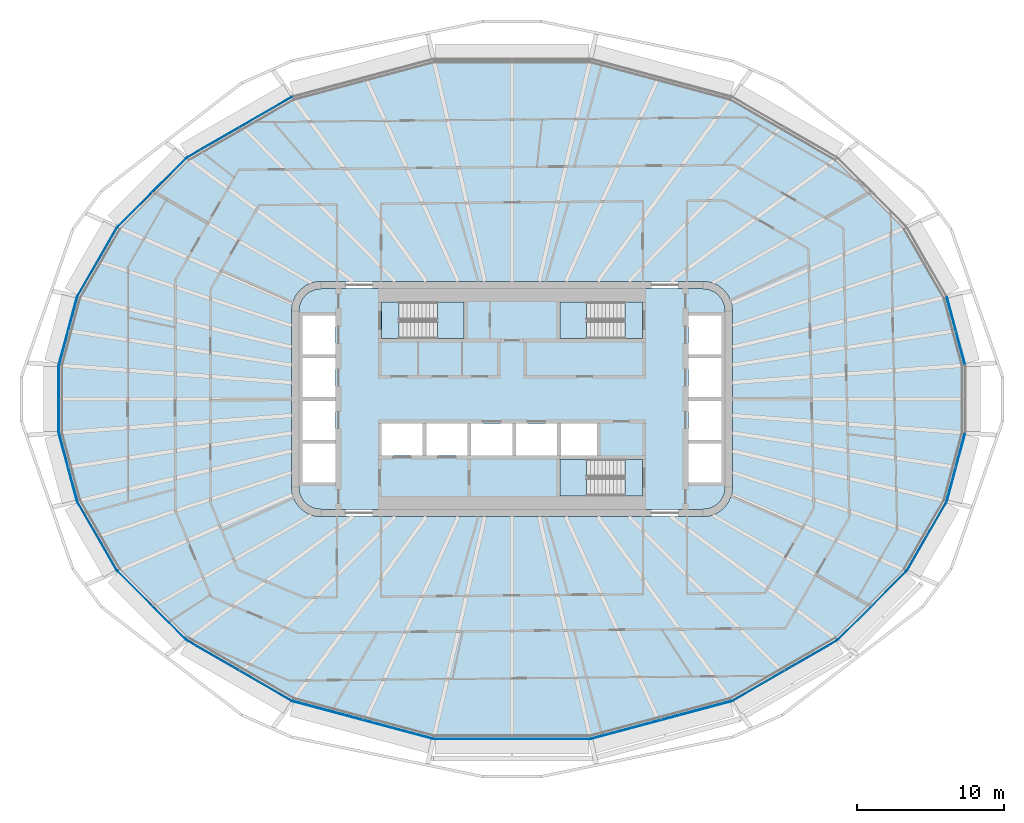
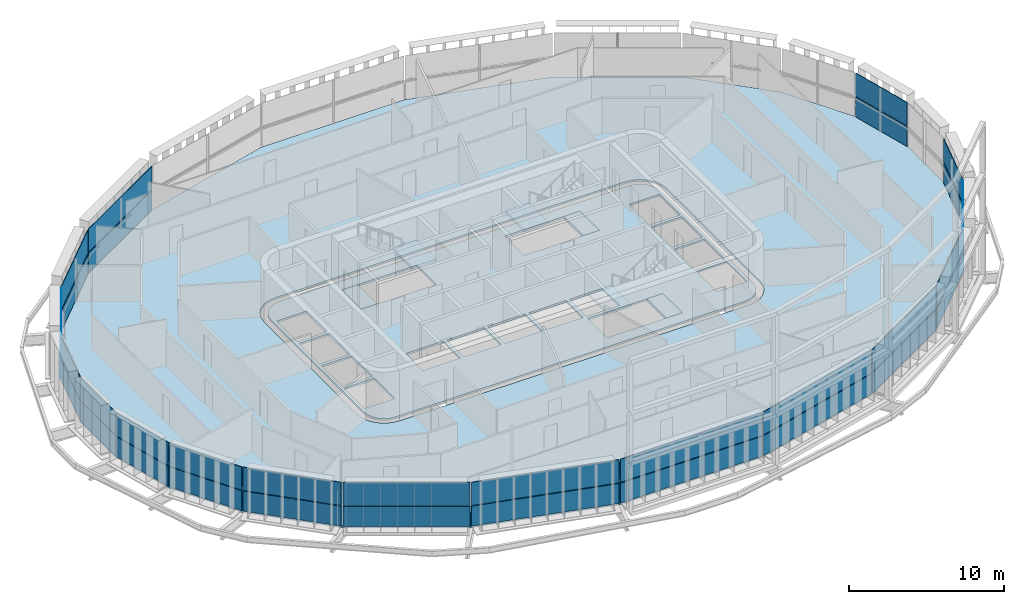
# One storey, part 10 of 23: 34 plates, 8 slabs, 20 elements without a shape of their own.
"""IFC4 building model written with IfcOpenShell, lengths in metres."""

from ifc_helpers import new_model, si_unit, direction, frame, origin, place, context, subcontext, project, spatial, polyline, outline, extrude, material, layer, layer_set, type_object, element, aggregate, save


model = new_model("IFC4")

# Units and contexts
model_context = context("Model", 3, precision=1e-05, world=origin(), true_north=direction((0.0, 1.0)))
body_context = subcontext(model_context, "Body", "Model", "MODEL_VIEW")
ifc_project = project(units=[si_unit("LENGTHUNIT", "METRE"), si_unit("AREAUNIT", "SQUARE_METRE"), si_unit("VOLUMEUNIT", "CUBIC_METRE"), si_unit("PLANEANGLEUNIT", "RADIAN"), si_unit("MASSUNIT", "GRAM", prefix="KILO")], contexts=[model_context])

# Site, building, storey
site_placement = place(None, origin())
site = spatial("IfcSite", under=ifc_project, at=site_placement, CompositionType="ELEMENT")
building_placement = place(site_placement, origin())
building = spatial("IfcBuilding", under=site, at=building_placement, Name="Sahrelin Media Tower", CompositionType="ELEMENT")
storey_placement = place(building_placement, frame((0.0, 0.0, 185.60009765625)))
storey = spatial("IfcBuildingStorey", under=building, at=storey_placement, Name="L39", CompositionType="ELEMENT", Elevation=185.60009765625)

# Slabs
ifc_material_1 = material(Name="Concrete C40/50", Category="concrete")
ifc_layer_1 = layer(ifc_material_1, 0.14990234375)
ifc_layer_set_1 = layer_set([ifc_layer_1], Name="Composite floor slab 150")
slab_type_1 = type_object("IfcSlabType", Name="Composite floor slab 150", PredefinedType="FLOOR", material=ifc_layer_set_1)
placement_1 = place(storey_placement, frame((0.0, 0.0, -0.150146484375)))
element("IfcSlab", 1, at=placement_1, inside=storey, type_object=slab_type_1, Name="Floor slab L39", PredefinedType="FLOOR", context=body_context, shape_type="SweptSolid", body=[
    extrude(outline(polyline([(30.807373046875, -2.29931640625), (30.807373046875, 2.29931640625), (29.5625, 6.94482421875), (26.82568359375, 11.685302734375), (22.12158203125, 16.38916015625), (14.939208984375, 20.535888671875), (5.3369140625, 23.10888671875), (-5.3369140625, 23.10888671875), (-14.939208984375, 20.535888671875), (-22.12158203125, 16.38916015625), (-26.82568359375, 11.685302734375), (-29.5625, 6.94482421875), (-30.807373046875, 2.29931640625), (-30.807373046875, -2.29931640625), (-29.5625, -6.94482421875), (-26.82568359375, -11.685302734375), (-22.12158203125, -16.38916015625), (-14.939208984375, -20.535888671875), (-5.3369140625, -23.10888671875), (5.3369140625, -23.10888671875), (14.939208984375, -20.535888671875), (22.12158203125, -16.38916015625), (26.82568359375, -11.685302734375), (29.5625, -6.94482421875), (30.807373046875, -2.29931640625)]), holes=[polyline([(14.931884765625, 6.517578125), (15.0, 6.0), (15.0, -6.0), (14.931884765625, -6.517578125), (14.732177734375, -7.0), (14.414306640625, -7.414306640625), (14.0, -7.732177734375), (13.517578125, -7.931884765625), (13.0, -8.0), (-13.0, -8.0), (-13.517578125, -7.931884765625), (-14.0, -7.732177734375), (-14.414306640625, -7.414306640625), (-14.732177734375, -7.0), (-14.931884765625, -6.517578125), (-15.0, -6.0), (-15.0, 6.0), (-14.931884765625, 6.517578125), (-14.732177734375, 7.0), (-14.414306640625, 7.414306640625), (-14.0, 7.732177734375), (-13.517578125, 7.931884765625), (-13.0, 8.0), (13.0, 8.0), (13.517578125, 7.931884765625), (14.0, 7.732177734375), (14.414306640625, 7.414306640625), (14.732177734375, 7.0), (14.931884765625, 6.517578125)])]), origin(), (0.0, 0.0, 1.0), 0.150146484375),
])
ifc_layer_2 = layer(ifc_material_1, 0.14990234375)
ifc_layer_set_2 = layer_set([ifc_layer_2], Name="Core floor slab 150")
slab_type_2 = type_object("IfcSlabType", Name="Core floor slab 150", PredefinedType="FLOOR", material=ifc_layer_set_2)
element("IfcSlab", 2, at=placement_1, inside=storey, type_object=slab_type_2, Name="Core floor", PredefinedType="FLOOR", context=body_context, shape_type="SweptSolid", body=[
    extrude(outline(polyline([(-14.44482421875, 6.38720703125), (-14.5, 5.96728515625), (-14.5, -5.96728515625), (-14.44482421875, -6.38720703125), (-14.29541015625, -6.747802734375), (-14.0576171875, -7.0576171875), (-13.747802734375, -7.29541015625), (-13.38720703125, -7.44482421875), (-12.96728515625, -7.5), (12.96728515625, -7.5), (13.38720703125, -7.44482421875), (13.747802734375, -7.29541015625), (14.0576171875, -7.0576171875), (14.29541015625, -6.747802734375), (14.44482421875, -6.38720703125), (14.5, -5.96728515625), (14.5, 5.96728515625), (14.44482421875, 6.38720703125), (14.29541015625, 6.747802734375), (14.0576171875, 7.0576171875), (13.747802734375, 7.29541015625), (13.38720703125, 7.44482421875), (12.96728515625, 7.5), (-12.96728515625, 7.5), (-13.38720703125, 7.44482421875), (-13.747802734375, 7.29541015625), (-14.0576171875, 7.0576171875), (-14.29541015625, 6.747802734375), (-14.44482421875, 6.38720703125)]), holes=[polyline([(-12.0, 3.02490234375), (-12.0, 5.675048828125), (-14.25, 5.675048828125), (-14.25, 3.02490234375), (-12.0, 3.02490234375)]), polyline([(-14.25, 0.125), (-12.0, 0.125), (-12.0, 2.77490234375), (-14.25, 2.77490234375), (-14.25, 0.125)]), polyline([(-14.25, -0.125), (-14.25, -2.77490234375), (-12.0, -2.77490234375), (-12.0, -0.125), (-14.25, -0.125)]), polyline([(-12.0, -3.02490234375), (-14.25, -3.02490234375), (-14.25, -5.675048828125), (-12.0, -5.675048828125), (-12.0, -3.02490234375)]), polyline([(14.25, 3.02490234375), (14.25, 5.675048828125), (12.0, 5.675048828125), (12.0, 3.02490234375), (14.25, 3.02490234375)]), polyline([(12.0, 0.125), (14.25, 0.125), (14.25, 2.77490234375), (12.0, 2.77490234375), (12.0, 0.125)]), polyline([(12.0, -0.125), (12.0, -2.77490234375), (14.25, -2.77490234375), (14.25, -0.125), (12.0, -0.125)]), polyline([(14.25, -3.02490234375), (12.0, -3.02490234375), (12.0, -5.675048828125), (14.25, -5.675048828125), (14.25, -3.02490234375)]), polyline([(-6.074951171875, -3.85009765625), (-6.074951171875, -1.64990234375), (-8.875, -1.64990234375), (-8.875, -3.85009765625), (-6.074951171875, -3.85009765625)]), polyline([(-5.824951171875, -3.85009765625), (-3.02490234375, -3.85009765625), (-3.02490234375, -1.64990234375), (-5.824951171875, -1.64990234375), (-5.824951171875, -3.85009765625)]), polyline([(-2.77490234375, -1.64990234375), (-2.77490234375, -3.85009765625), (0.02490234375, -3.85009765625), (0.02490234375, -1.64990234375), (-2.77490234375, -1.64990234375)]), polyline([(3.074951171875, -1.64990234375), (0.27490234375, -1.64990234375), (0.27490234375, -3.85009765625), (3.074951171875, -3.85009765625), (3.074951171875, -1.64990234375)]), polyline([(5.77490234375, -3.85009765625), (5.77490234375, -1.64990234375), (3.324951171875, -1.64990234375), (3.324951171875, -3.85009765625), (5.77490234375, -3.85009765625)]), polyline([(-8.875, 6.60009765625), (-8.875, 4.10009765625), (-3.27490234375, 4.10009765625), (-3.27490234375, 6.60009765625), (-8.875, 6.60009765625)]), polyline([(3.27490234375, 4.10009765625), (8.875, 4.10009765625), (8.875, 6.60009765625), (3.27490234375, 6.60009765625), (3.27490234375, 4.10009765625)]), polyline([(3.27490234375, -4.10009765625), (3.27490234375, -6.60009765625), (8.875, -6.60009765625), (8.875, -4.10009765625), (3.27490234375, -4.10009765625)])]), origin(), (0.0, 0.0, 1.0), 0.150146484375),
])

# Curtain wall, plate
ifc_material_2 = material(Name="Champagne anodised aluminium 6063-T6", Category="aluminium")
ifc_layer_3 = layer(ifc_material_2, 0.14990234375)
ifc_layer_set_3 = layer_set([ifc_layer_3], Name="Tower ribbon curtain wall")
curtain_wall_type = type_object("IfcCurtainWallType", Name="Tower ribbon curtain wall", PredefinedType="NOTDEFINED", material=ifc_layer_set_3)
curtain_wall_1_placement = place(storey_placement, frame((30.2041015625, 4.627197265625, 0.0), z_axis=(0.0, 0.0, 1.0), x_axis=(1.0, 0.0, 0.0)))
curtain_wall_1 = element("IfcCurtainWall", 3, at=curtain_wall_1_placement, inside=storey, type_object=curtain_wall_type, Name="L39:CW:L39-01", PredefinedType="NOTDEFINED")
ifc_material_3 = material(Name="Clear low-iron glazing", Category="glass")
ifc_layer_4 = layer(ifc_material_3, 0.0439453125)
ifc_layer_set_4 = layer_set([ifc_layer_4], Name="Glazing panel 44 mm CW1B")
plate_type_1 = type_object("IfcPlateType", Name="Glazing panel 44 mm CW1B", PredefinedType="CURTAIN_PANEL", material=ifc_layer_set_4)
plate_1_placement = place(storey_placement, frame((30.833740234375, 2.355224609375, 1.6298828125), z_axis=(0.96591707785, 0.258851692515, 0.0), x_axis=(-0.258851692515, 0.96591707785, 0.0)))
plate_1 = element("IfcPlate", 4, at=plate_1_placement, type_object=plate_type_1, Name="L39:CWP2:L39-01", PredefinedType="CURTAIN_PANEL", context=body_context, shape_type="SweptSolid", body=[
    extrude(outline(polyline([(0.0, 0.0), (4.71484375, 0.0), (4.71484375, 1.818603515625), (0.0, 1.818603515625), (0.0, 0.0)])), origin(), (0.0, 0.0, -1.0), 0.0439453125),
])

curtain_wall_2_placement = place(storey_placement, frame((-18.540283203125, 18.479736328125, 0.0), z_axis=(0.0, 0.0, 1.0), x_axis=(1.0, 0.0, 0.0)))
curtain_wall_2 = element("IfcCurtainWall", 5, at=curtain_wall_2_placement, inside=storey, type_object=curtain_wall_type, Name="L39:CW:L39-08", PredefinedType="NOTDEFINED")
plate_2_placement = place(storey_placement, frame((-15.000244140625, 20.546875, 1.6298828125), z_axis=(-0.499998260706, 0.866026407964, 0.0), x_axis=(-0.866026407964, -0.499998260706, 0.0)))
plate_2 = element("IfcPlate", 6, at=plate_2_placement, type_object=plate_type_1, Name="L39:CWP2:L39-08", PredefinedType="CURTAIN_PANEL", context=body_context, shape_type="SweptSolid", body=[
    extrude(outline(polyline([(0.0, 0.0), (8.19873046875, 0.0), (8.19873046875, 1.818603515625), (0.0, 1.818603515625), (0.0, 0.0)])), origin(), (0.0, 0.0, -1.0), 0.0439453125),
])

curtain_wall_3_placement = place(storey_placement, frame((-24.48779296875, 14.05126953125, 0.0), z_axis=(0.0, 0.0, 1.0), x_axis=(1.0, 0.0, 0.0)))
curtain_wall_3 = element("IfcCurtainWall", 7, at=curtain_wall_3_placement, inside=storey, type_object=curtain_wall_type, Name="L39:CW:L39-09", PredefinedType="NOTDEFINED")
plate_3_placement = place(storey_placement, frame((-22.18359375, 16.3837890625, 1.6298828125), z_axis=(-0.707106781187, 0.707106781187, 0.0), x_axis=(-0.707106781187, -0.707106781187, 0.0)))
plate_3 = element("IfcPlate", 8, at=plate_3_placement, type_object=plate_type_1, Name="L39:CWP2:L39-09", PredefinedType="CURTAIN_PANEL", context=body_context, shape_type="SweptSolid", body=[
    extrude(outline(polyline([(0.0, 0.0), (6.557373046875, 0.0), (6.557373046875, 1.818603515625), (0.0, 1.818603515625), (0.0, 0.0)])), origin(), (0.0, 0.0, -1.0), 0.0439453125),
])

curtain_wall_4_placement = place(storey_placement, frame((-28.211181640625, 9.324951171875, 0.0), z_axis=(0.0, 0.0, 1.0), x_axis=(1.0, 0.0, 0.0)))
curtain_wall_4 = element("IfcCurtainWall", 9, at=curtain_wall_4_placement, inside=storey, type_object=curtain_wall_type, Name="L39:CW:L39-10", PredefinedType="NOTDEFINED")
plate_4_placement = place(storey_placement, frame((-26.8837890625, 11.664306640625, 1.6298828125), z_axis=(-0.866014014495, 0.500019726309, 0.0), x_axis=(-0.500019726309, -0.866014014495, 0.0)))
plate_4 = element("IfcPlate", 10, at=plate_4_placement, type_object=plate_type_1, Name="L39:CWP2:L39-10", PredefinedType="CURTAIN_PANEL", context=body_context, shape_type="SweptSolid", body=[
    extrude(outline(polyline([(0.0, 0.0), (5.379150390625, 0.0), (5.379150390625, 1.818603515625), (0.0, 1.818603515625), (0.0, 0.0)])), origin(), (0.0, 0.0, -1.0), 0.0439453125),
])

curtain_wall_5_placement = place(storey_placement, frame((-30.2041015625, 4.627197265625, 0.0), z_axis=(0.0, 0.0, 1.0), x_axis=(1.0, 0.0, 0.0)))
curtain_wall_5 = element("IfcCurtainWall", 11, at=curtain_wall_5_placement, inside=storey, type_object=curtain_wall_type, Name="L39:CW:L39-11", PredefinedType="NOTDEFINED")
plate_5_placement = place(storey_placement, frame((-29.61328125, 6.909423828125, 1.6298828125), z_axis=(-0.96591707785, 0.258851692515, 0.0), x_axis=(-0.258851692515, -0.96591707785, 0.0)))
plate_5 = element("IfcPlate", 12, at=plate_5_placement, type_object=plate_type_1, Name="L39:CWP2:L39-11", PredefinedType="CURTAIN_PANEL", context=body_context, shape_type="SweptSolid", body=[
    extrude(outline(polyline([(0.0, 0.0), (4.71484375, 0.0), (4.71484375, 1.818603515625), (0.0, 1.818603515625), (0.0, 0.0)])), origin(), (0.0, 0.0, -1.0), 0.0439453125),
])

curtain_wall_6_placement = place(storey_placement, frame((-30.827392578125, 0.0, 0.0), z_axis=(0.0, 0.0, 1.0), x_axis=(1.0, 0.0, 0.0)))
curtain_wall_6 = element("IfcCurtainWall", 13, at=curtain_wall_6_placement, inside=storey, type_object=curtain_wall_type, Name="L39:CW:L39-12", PredefinedType="NOTDEFINED")
plate_6_placement = place(storey_placement, frame((-30.847412109375, 2.251708984375, 1.6298828125), z_axis=(-1.0, 0.0, 0.0), x_axis=(0.0, -1.0, 0.0)))
plate_6 = element("IfcPlate", 14, at=plate_6_placement, type_object=plate_type_1, Name="L39:CWP2:L39-12", PredefinedType="CURTAIN_PANEL", context=body_context, shape_type="SweptSolid", body=[
    extrude(outline(polyline([(0.0, 0.0), (4.50341796875, 0.0), (4.50341796875, 1.818603515625), (0.0, 1.818603515625), (0.0, 0.0)])), origin(), (0.0, 0.0, -1.0), 0.0439453125),
])

curtain_wall_7_placement = place(storey_placement, frame((-30.2041015625, -4.627197265625, 0.0), z_axis=(0.0, 0.0, 1.0), x_axis=(1.0, 0.0, 0.0)))
curtain_wall_7 = element("IfcCurtainWall", 15, at=curtain_wall_7_placement, inside=storey, type_object=curtain_wall_type, Name="L39:CW:L39-13", PredefinedType="NOTDEFINED")
plate_7_placement = place(storey_placement, frame((-30.833740234375, -2.355224609375, 1.6298828125), z_axis=(-0.96591707785, -0.258851692515, 0.0), x_axis=(0.258851692515, -0.96591707785, 0.0)))
plate_7 = element("IfcPlate", 16, at=plate_7_placement, type_object=plate_type_1, Name="L39:CWP2:L39-13", PredefinedType="CURTAIN_PANEL", context=body_context, shape_type="SweptSolid", body=[
    extrude(outline(polyline([(0.0, 0.0), (4.71484375, 0.0), (4.71484375, 1.818603515625), (0.0, 1.818603515625), (0.0, 0.0)])), origin(), (0.0, 0.0, -1.0), 0.0439453125),
])

curtain_wall_8_placement = place(storey_placement, frame((-28.211181640625, -9.324951171875, 0.0), z_axis=(0.0, 0.0, 1.0), x_axis=(1.0, 0.0, 0.0)))
curtain_wall_8 = element("IfcCurtainWall", 17, at=curtain_wall_8_placement, inside=storey, type_object=curtain_wall_type, Name="L39:CW:L39-14", PredefinedType="NOTDEFINED")
plate_8_placement = place(storey_placement, frame((-29.573486328125, -7.005859375, 1.6298828125), z_axis=(-0.866014014495, -0.500019726309, 0.0), x_axis=(0.500019726309, -0.866014014495, 0.0)))
plate_8 = element("IfcPlate", 18, at=plate_8_placement, type_object=plate_type_1, Name="L39:CWP2:L39-14", PredefinedType="CURTAIN_PANEL", context=body_context, shape_type="SweptSolid", body=[
    extrude(outline(polyline([(0.0, 0.0), (5.379150390625, 0.0), (5.379150390625, 1.818603515625), (0.0, 1.818603515625), (0.0, 0.0)])), origin(), (0.0, 0.0, -1.0), 0.0439453125),
])

curtain_wall_9_placement = place(storey_placement, frame((-24.48779296875, -14.05126953125, 0.0), z_axis=(0.0, 0.0, 1.0), x_axis=(1.0, 0.0, 0.0)))
curtain_wall_9 = element("IfcCurtainWall", 19, at=curtain_wall_9_placement, inside=storey, type_object=curtain_wall_type, Name="L39:CW:L39-15", PredefinedType="NOTDEFINED")
plate_9_placement = place(storey_placement, frame((-26.8203125, -11.7470703125, 1.6298828125), z_axis=(-0.707106781187, -0.707106781187, 0.0), x_axis=(0.707106781187, -0.707106781187, 0.0)))
plate_9 = element("IfcPlate", 20, at=plate_9_placement, type_object=plate_type_1, Name="L39:CWP2:L39-15", PredefinedType="CURTAIN_PANEL", context=body_context, shape_type="SweptSolid", body=[
    extrude(outline(polyline([(0.0, 0.0), (6.557373046875, 0.0), (6.557373046875, 1.818603515625), (0.0, 1.818603515625), (0.0, 0.0)])), origin(), (0.0, 0.0, -1.0), 0.0439453125),
])

curtain_wall_10_placement = place(storey_placement, frame((-18.54052734375, -18.47998046875, 0.0), z_axis=(0.0, 0.0, 1.0), x_axis=(1.0, 0.0, 0.0)))
curtain_wall_10 = element("IfcCurtainWall", 21, at=curtain_wall_10_placement, inside=storey, type_object=curtain_wall_type, Name="L39:CW:L39-16", PredefinedType="NOTDEFINED")
plate_10_placement = place(storey_placement, frame((-22.1005859375, -16.447509765625, 1.6298828125), z_axis=(-0.499998260706, -0.866026407964, 0.0), x_axis=(0.866026407964, -0.499998260706, 0.0)))
plate_10 = element("IfcPlate", 22, at=plate_10_placement, type_object=plate_type_1, Name="L39:CWP2:L39-16", PredefinedType="CURTAIN_PANEL", context=body_context, shape_type="SweptSolid", body=[
    extrude(outline(polyline([(0.0, 0.0), (8.19873046875, 0.0), (8.19873046875, 1.818603515625), (0.0, 1.818603515625), (0.0, 0.0)])), origin(), (0.0, 0.0, -1.0), 0.0439453125),
])

curtain_wall_11_placement = place(storey_placement, frame((-10.143310546875, -21.841796875, 0.0), z_axis=(0.0, 0.0, 1.0), x_axis=(1.0, 0.0, 0.0)))
curtain_wall_11 = element("IfcCurtainWall", 23, at=curtain_wall_11_placement, inside=storey, type_object=curtain_wall_type, Name="L39:CW:L39-17", PredefinedType="NOTDEFINED")
plate_11_placement = place(storey_placement, frame((-14.90380859375, -20.5869140625, 1.6298828125), z_axis=(-0.258813753336, -0.965927244198, 0.0), x_axis=(0.965927244198, -0.258813753336, 0.0)))
plate_11 = element("IfcPlate", 24, at=plate_11_placement, type_object=plate_type_1, Name="L39:CWP2:L39-17", PredefinedType="CURTAIN_PANEL", context=body_context, shape_type="SweptSolid", body=[
    extrude(outline(polyline([(0.0, 0.0), (9.84619140625, 0.0), (9.84619140625, 1.818603515625), (0.0, 1.818603515625), (0.0, 0.0)])), origin(), (0.0, 0.0, -1.0), 0.0439453125),
])

curtain_wall_12_placement = place(storey_placement, frame((0.0, -23.12890625, 0.0), z_axis=(0.0, 0.0, 1.0), x_axis=(1.0, 0.0, 0.0)))
curtain_wall_12 = element("IfcCurtainWall", 25, at=curtain_wall_12_placement, inside=storey, type_object=curtain_wall_type, Name="L39:CW:L39-18", PredefinedType="NOTDEFINED")
plate_12_placement = place(storey_placement, frame((-5.28955078125, -23.14892578125, 1.6298828125), z_axis=(0.0, -1.0, 0.0), x_axis=(1.0, 0.0, 0.0)))
plate_12 = element("IfcPlate", 26, at=plate_12_placement, type_object=plate_type_1, Name="L39:CWP2:L39-18", PredefinedType="CURTAIN_PANEL", context=body_context, shape_type="SweptSolid", body=[
    extrude(outline(polyline([(0.0, 0.0), (10.5791015625, 0.0), (10.5791015625, 1.818603515625), (0.0, 1.818603515625), (0.0, 0.0)])), origin(), (0.0, 0.0, -1.0), 0.0439453125),
])

curtain_wall_13_placement = place(storey_placement, frame((10.143310546875, -21.841796875, 0.0), z_axis=(0.0, 0.0, 1.0), x_axis=(1.0, 0.0, 0.0)))
curtain_wall_13 = element("IfcCurtainWall", 27, at=curtain_wall_13_placement, inside=storey, type_object=curtain_wall_type, Name="L39:CW:L39-19", PredefinedType="NOTDEFINED")
plate_13_placement = place(storey_placement, frame((5.39306640625, -23.13525390625, 1.6298828125), z_axis=(0.258813753336, -0.965927244198, 0.0), x_axis=(0.965927244198, 0.258813753336, 0.0)))
plate_13 = element("IfcPlate", 28, at=plate_13_placement, type_object=plate_type_1, Name="L39:CWP2:L39-19", PredefinedType="CURTAIN_PANEL", context=body_context, shape_type="SweptSolid", body=[
    extrude(outline(polyline([(0.0, 0.0), (9.84619140625, 0.0), (9.84619140625, 1.818603515625), (0.0, 1.818603515625), (0.0, 0.0)])), origin(), (0.0, 0.0, -1.0), 0.0439453125),
])

curtain_wall_14_placement = place(storey_placement, frame((18.540283203125, -18.479736328125, 0.0), z_axis=(0.0, 0.0, 1.0), x_axis=(1.0, 0.0, 0.0)))
curtain_wall_14 = element("IfcCurtainWall", 29, at=curtain_wall_14_placement, inside=storey, type_object=curtain_wall_type, Name="L39:CW:L39-20", PredefinedType="NOTDEFINED")
plate_14_placement = place(storey_placement, frame((15.000244140625, -20.546875, 1.6298828125), z_axis=(0.499998260706, -0.866026407964, 0.0), x_axis=(0.866026407964, 0.499998260706, 0.0)))
plate_14 = element("IfcPlate", 30, at=plate_14_placement, type_object=plate_type_1, Name="L39:CWP2:L39-20", PredefinedType="CURTAIN_PANEL", context=body_context, shape_type="SweptSolid", body=[
    extrude(outline(polyline([(0.0, 0.0), (8.19873046875, 0.0), (8.19873046875, 1.818603515625), (0.0, 1.818603515625), (0.0, 0.0)])), origin(), (0.0, 0.0, -1.0), 0.0439453125),
])

curtain_wall_15_placement = place(storey_placement, frame((24.48779296875, -14.05126953125, 0.0), z_axis=(0.0, 0.0, 1.0), x_axis=(1.0, 0.0, 0.0)))
curtain_wall_15 = element("IfcCurtainWall", 31, at=curtain_wall_15_placement, inside=storey, type_object=curtain_wall_type, Name="L39:CW:L39-21", PredefinedType="NOTDEFINED")
plate_15_placement = place(storey_placement, frame((22.18359375, -16.3837890625, 1.6298828125), z_axis=(0.707106781187, -0.707106781187, 0.0), x_axis=(0.707106781187, 0.707106781187, 0.0)))
plate_15 = element("IfcPlate", 32, at=plate_15_placement, type_object=plate_type_1, Name="L39:CWP2:L39-21", PredefinedType="CURTAIN_PANEL", context=body_context, shape_type="SweptSolid", body=[
    extrude(outline(polyline([(0.0, 0.0), (6.557373046875, 0.0), (6.557373046875, 1.818603515625), (0.0, 1.818603515625), (0.0, 0.0)])), origin(), (0.0, 0.0, -1.0), 0.0439453125),
])

curtain_wall_16_placement = place(storey_placement, frame((28.211181640625, -9.324951171875, 0.0), z_axis=(0.0, 0.0, 1.0), x_axis=(1.0, 0.0, 0.0)))
curtain_wall_16 = element("IfcCurtainWall", 33, at=curtain_wall_16_placement, inside=storey, type_object=curtain_wall_type, Name="L39:CW:L39-22", PredefinedType="NOTDEFINED")
plate_16_placement = place(storey_placement, frame((26.8837890625, -11.664306640625, 1.6298828125), z_axis=(0.866014014495, -0.500019726309, 0.0), x_axis=(0.500019726309, 0.866014014495, 0.0)))
plate_16 = element("IfcPlate", 34, at=plate_16_placement, type_object=plate_type_1, Name="L39:CWP2:L39-22", PredefinedType="CURTAIN_PANEL", context=body_context, shape_type="SweptSolid", body=[
    extrude(outline(polyline([(0.0, 0.0), (5.379150390625, 0.0), (5.379150390625, 1.818603515625), (0.0, 1.818603515625), (0.0, 0.0)])), origin(), (0.0, 0.0, -1.0), 0.0439453125),
])

curtain_wall_17_placement = place(storey_placement, frame((30.2041015625, -4.627197265625, 0.0), z_axis=(0.0, 0.0, 1.0), x_axis=(1.0, 0.0, 0.0)))
curtain_wall_17 = element("IfcCurtainWall", 35, at=curtain_wall_17_placement, inside=storey, type_object=curtain_wall_type, Name="L39:CW:L39-23", PredefinedType="NOTDEFINED")
plate_17_placement = place(storey_placement, frame((29.61328125, -6.909423828125, 1.6298828125), z_axis=(0.96591707785, -0.258851692515, 0.0), x_axis=(0.258851692515, 0.96591707785, 0.0)))
plate_17 = element("IfcPlate", 36, at=plate_17_placement, type_object=plate_type_1, Name="L39:CWP2:L39-23", PredefinedType="CURTAIN_PANEL", context=body_context, shape_type="SweptSolid", body=[
    extrude(outline(polyline([(0.0, 0.0), (4.71484375, 0.0), (4.71484375, 1.818603515625), (0.0, 1.818603515625), (0.0, 0.0)])), origin(), (0.0, 0.0, -1.0), 0.0439453125),
])

# Plate
ifc_material_4 = material(Name="Insulated spandrel panel")
ifc_layer_5 = layer(ifc_material_4, 0.06005859375)
ifc_layer_set_5 = layer_set([ifc_layer_5], Name="Spandrel panel 60 mm CW1")
plate_type_2 = type_object("IfcPlateType", Name="Spandrel panel 60 mm CW1", PredefinedType="SHEET", material=ifc_layer_set_5)
plate_18_placement = place(storey_placement, frame((30.833740234375, 2.355224609375, 0.0), z_axis=(0.96591707785, 0.258851692515, 0.0), x_axis=(-0.258851692515, 0.96591707785, 0.0)))
plate_18 = element("IfcPlate", 37, at=plate_18_placement, type_object=plate_type_2, Name="L39:CWP1:L39-01", PredefinedType="SHEET", context=body_context, shape_type="SweptSolid", body=[
    extrude(outline(polyline([(0.0, 0.0), (4.71484375, 0.0), (4.71484375, 1.56982421875), (0.0, 1.56982421875), (0.0, 0.0)])), origin(), (0.0, 0.0, -1.0), 0.06005859375),
])

aggregate(curtain_wall_1, [plate_18, plate_1])

plate_19_placement = place(storey_placement, frame((-15.000244140625, 20.546875, 0.0), z_axis=(-0.499998260706, 0.866026407964, 0.0), x_axis=(-0.866026407964, -0.499998260706, 0.0)))
plate_19 = element("IfcPlate", 38, at=plate_19_placement, type_object=plate_type_2, Name="L39:CWP1:L39-08", PredefinedType="SHEET", context=body_context, shape_type="SweptSolid", body=[
    extrude(outline(polyline([(0.0, 0.0), (8.19873046875, 0.0), (8.19873046875, 1.56982421875), (0.0, 1.56982421875), (0.0, 0.0)])), origin(), (0.0, 0.0, -1.0), 0.06005859375),
])

aggregate(curtain_wall_2, [plate_19, plate_2])

plate_20_placement = place(storey_placement, frame((-22.18359375, 16.3837890625, 0.0), z_axis=(-0.707106781187, 0.707106781187, 0.0), x_axis=(-0.707106781187, -0.707106781187, 0.0)))
plate_20 = element("IfcPlate", 39, at=plate_20_placement, type_object=plate_type_2, Name="L39:CWP1:L39-09", PredefinedType="SHEET", context=body_context, shape_type="SweptSolid", body=[
    extrude(outline(polyline([(0.0, 0.0), (6.557373046875, 0.0), (6.557373046875, 1.56982421875), (0.0, 1.56982421875), (0.0, 0.0)])), origin(), (0.0, 0.0, -1.0), 0.06005859375),
])

aggregate(curtain_wall_3, [plate_20, plate_3])

plate_21_placement = place(storey_placement, frame((-26.8837890625, 11.664306640625, 0.0), z_axis=(-0.866014014495, 0.500019726309, 0.0), x_axis=(-0.500019726309, -0.866014014495, 0.0)))
plate_21 = element("IfcPlate", 40, at=plate_21_placement, type_object=plate_type_2, Name="L39:CWP1:L39-10", PredefinedType="SHEET", context=body_context, shape_type="SweptSolid", body=[
    extrude(outline(polyline([(0.0, 0.0), (5.379150390625, 0.0), (5.379150390625, 1.56982421875), (0.0, 1.56982421875), (0.0, 0.0)])), origin(), (0.0, 0.0, -1.0), 0.06005859375),
])

aggregate(curtain_wall_4, [plate_21, plate_4])

plate_22_placement = place(storey_placement, frame((-29.61328125, 6.909423828125, 0.0), z_axis=(-0.96591707785, 0.258851692515, 0.0), x_axis=(-0.258851692515, -0.96591707785, 0.0)))
plate_22 = element("IfcPlate", 41, at=plate_22_placement, type_object=plate_type_2, Name="L39:CWP1:L39-11", PredefinedType="SHEET", context=body_context, shape_type="SweptSolid", body=[
    extrude(outline(polyline([(0.0, 0.0), (4.71484375, 0.0), (4.71484375, 1.56982421875), (0.0, 1.56982421875), (0.0, 0.0)])), origin(), (0.0, 0.0, -1.0), 0.06005859375),
])

aggregate(curtain_wall_5, [plate_22, plate_5])

plate_23_placement = place(storey_placement, frame((-30.847412109375, 2.251708984375, 0.0), z_axis=(-1.0, 0.0, 0.0), x_axis=(0.0, -1.0, 0.0)))
plate_23 = element("IfcPlate", 42, at=plate_23_placement, type_object=plate_type_2, Name="L39:CWP1:L39-12", PredefinedType="SHEET", context=body_context, shape_type="SweptSolid", body=[
    extrude(outline(polyline([(0.0, 0.0), (4.50341796875, 0.0), (4.50341796875, 1.56982421875), (0.0, 1.56982421875), (0.0, 0.0)])), origin(), (0.0, 0.0, -1.0), 0.06005859375),
])

aggregate(curtain_wall_6, [plate_23, plate_6])

plate_24_placement = place(storey_placement, frame((-30.833740234375, -2.355224609375, 0.0), z_axis=(-0.96591707785, -0.258851692515, 0.0), x_axis=(0.258851692515, -0.96591707785, 0.0)))
plate_24 = element("IfcPlate", 43, at=plate_24_placement, type_object=plate_type_2, Name="L39:CWP1:L39-13", PredefinedType="SHEET", context=body_context, shape_type="SweptSolid", body=[
    extrude(outline(polyline([(0.0, 0.0), (4.71484375, 0.0), (4.71484375, 1.56982421875), (0.0, 1.56982421875), (0.0, 0.0)])), origin(), (0.0, 0.0, -1.0), 0.06005859375),
])

aggregate(curtain_wall_7, [plate_24, plate_7])

plate_25_placement = place(storey_placement, frame((-29.573486328125, -7.005859375, 0.0), z_axis=(-0.866014014495, -0.500019726309, 0.0), x_axis=(0.500019726309, -0.866014014495, 0.0)))
plate_25 = element("IfcPlate", 44, at=plate_25_placement, type_object=plate_type_2, Name="L39:CWP1:L39-14", PredefinedType="SHEET", context=body_context, shape_type="SweptSolid", body=[
    extrude(outline(polyline([(0.0, 0.0), (5.379150390625, 0.0), (5.379150390625, 1.56982421875), (0.0, 1.56982421875), (0.0, 0.0)])), origin(), (0.0, 0.0, -1.0), 0.06005859375),
])

aggregate(curtain_wall_8, [plate_25, plate_8])

plate_26_placement = place(storey_placement, frame((-26.8203125, -11.7470703125, 0.0), z_axis=(-0.707106781187, -0.707106781187, 0.0), x_axis=(0.707106781187, -0.707106781187, 0.0)))
plate_26 = element("IfcPlate", 45, at=plate_26_placement, type_object=plate_type_2, Name="L39:CWP1:L39-15", PredefinedType="SHEET", context=body_context, shape_type="SweptSolid", body=[
    extrude(outline(polyline([(0.0, 0.0), (6.557373046875, 0.0), (6.557373046875, 1.56982421875), (0.0, 1.56982421875), (0.0, 0.0)])), origin(), (0.0, 0.0, -1.0), 0.06005859375),
])

aggregate(curtain_wall_9, [plate_26, plate_9])

plate_27_placement = place(storey_placement, frame((-22.1005859375, -16.447509765625, 0.0), z_axis=(-0.499998260706, -0.866026407964, 0.0), x_axis=(0.866026407964, -0.499998260706, 0.0)))
plate_27 = element("IfcPlate", 46, at=plate_27_placement, type_object=plate_type_2, Name="L39:CWP1:L39-16", PredefinedType="SHEET", context=body_context, shape_type="SweptSolid", body=[
    extrude(outline(polyline([(0.0, 0.0), (8.19873046875, 0.0), (8.19873046875, 1.56982421875), (0.0, 1.56982421875), (0.0, 0.0)])), origin(), (0.0, 0.0, -1.0), 0.06005859375),
])

aggregate(curtain_wall_10, [plate_27, plate_10])

plate_28_placement = place(storey_placement, frame((-14.90380859375, -20.5869140625, 0.0), z_axis=(-0.258813753336, -0.965927244198, 0.0), x_axis=(0.965927244198, -0.258813753336, 0.0)))
plate_28 = element("IfcPlate", 47, at=plate_28_placement, type_object=plate_type_2, Name="L39:CWP1:L39-17", PredefinedType="SHEET", context=body_context, shape_type="SweptSolid", body=[
    extrude(outline(polyline([(0.0, 0.0), (9.84619140625, 0.0), (9.84619140625, 1.56982421875), (0.0, 1.56982421875), (0.0, 0.0)])), origin(), (0.0, 0.0, -1.0), 0.06005859375),
])

aggregate(curtain_wall_11, [plate_28, plate_11])

plate_29_placement = place(storey_placement, frame((-5.28955078125, -23.14892578125, 0.0), z_axis=(0.0, -1.0, 0.0), x_axis=(1.0, 0.0, 0.0)))
plate_29 = element("IfcPlate", 48, at=plate_29_placement, type_object=plate_type_2, Name="L39:CWP1:L39-18", PredefinedType="SHEET", context=body_context, shape_type="SweptSolid", body=[
    extrude(outline(polyline([(0.0, 0.0), (10.5791015625, 0.0), (10.5791015625, 1.56982421875), (0.0, 1.56982421875), (0.0, 0.0)])), origin(), (0.0, 0.0, -1.0), 0.06005859375),
])

aggregate(curtain_wall_12, [plate_29, plate_12])

plate_30_placement = place(storey_placement, frame((5.39306640625, -23.13525390625, 0.0), z_axis=(0.258813753336, -0.965927244198, 0.0), x_axis=(0.965927244198, 0.258813753336, 0.0)))
plate_30 = element("IfcPlate", 49, at=plate_30_placement, type_object=plate_type_2, Name="L39:CWP1:L39-19", PredefinedType="SHEET", context=body_context, shape_type="SweptSolid", body=[
    extrude(outline(polyline([(0.0, 0.0), (9.84619140625, 0.0), (9.84619140625, 1.56982421875), (0.0, 1.56982421875), (0.0, 0.0)])), origin(), (0.0, 0.0, -1.0), 0.06005859375),
])

aggregate(curtain_wall_13, [plate_30, plate_13])

plate_31_placement = place(storey_placement, frame((15.000244140625, -20.546875, 0.0), z_axis=(0.499998260706, -0.866026407964, 0.0), x_axis=(0.866026407964, 0.499998260706, 0.0)))
plate_31 = element("IfcPlate", 50, at=plate_31_placement, type_object=plate_type_2, Name="L39:CWP1:L39-20", PredefinedType="SHEET", context=body_context, shape_type="SweptSolid", body=[
    extrude(outline(polyline([(0.0, 0.0), (8.19873046875, 0.0), (8.19873046875, 1.56982421875), (0.0, 1.56982421875), (0.0, 0.0)])), origin(), (0.0, 0.0, -1.0), 0.06005859375),
])

aggregate(curtain_wall_14, [plate_31, plate_14])

plate_32_placement = place(storey_placement, frame((22.18359375, -16.3837890625, 0.0), z_axis=(0.707106781187, -0.707106781187, 0.0), x_axis=(0.707106781187, 0.707106781187, 0.0)))
plate_32 = element("IfcPlate", 51, at=plate_32_placement, type_object=plate_type_2, Name="L39:CWP1:L39-21", PredefinedType="SHEET", context=body_context, shape_type="SweptSolid", body=[
    extrude(outline(polyline([(0.0, 0.0), (6.557373046875, 0.0), (6.557373046875, 1.56982421875), (0.0, 1.56982421875), (0.0, 0.0)])), origin(), (0.0, 0.0, -1.0), 0.06005859375),
])

aggregate(curtain_wall_15, [plate_32, plate_15])

plate_33_placement = place(storey_placement, frame((26.8837890625, -11.664306640625, 0.0), z_axis=(0.866014014495, -0.500019726309, 0.0), x_axis=(0.500019726309, 0.866014014495, 0.0)))
plate_33 = element("IfcPlate", 52, at=plate_33_placement, type_object=plate_type_2, Name="L39:CWP1:L39-22", PredefinedType="SHEET", context=body_context, shape_type="SweptSolid", body=[
    extrude(outline(polyline([(0.0, 0.0), (5.379150390625, 0.0), (5.379150390625, 1.56982421875), (0.0, 1.56982421875), (0.0, 0.0)])), origin(), (0.0, 0.0, -1.0), 0.06005859375),
])

aggregate(curtain_wall_16, [plate_33, plate_16])

plate_34_placement = place(storey_placement, frame((29.61328125, -6.909423828125, 0.0), z_axis=(0.96591707785, -0.258851692515, 0.0), x_axis=(0.258851692515, 0.96591707785, 0.0)))
plate_34 = element("IfcPlate", 53, at=plate_34_placement, type_object=plate_type_2, Name="L39:CWP1:L39-23", PredefinedType="SHEET", context=body_context, shape_type="SweptSolid", body=[
    extrude(outline(polyline([(0.0, 0.0), (4.71484375, 0.0), (4.71484375, 1.56982421875), (0.0, 1.56982421875), (0.0, 0.0)])), origin(), (0.0, 0.0, -1.0), 0.06005859375),
])

aggregate(curtain_wall_17, [plate_34, plate_17])

# Stair, slabs
stair_type = type_object("IfcStairType", Name="Exit stair 1200", PredefinedType="HALF_TURN_STAIR", material=ifc_material_1)
placement_2 = place(storey_placement, origin())
stair_1 = element("IfcStair", 54, at=placement_2, inside=storey, type_object=stair_type, Name="L39 Exit stair ST1", PredefinedType="HALF_TURN_STAIR")
ifc_layer_6 = layer(ifc_material_1, 0.199951171875)
ifc_layer_set_6 = layer_set([ifc_layer_6], Name="Stair landing 200")
slab_type_3 = type_object("IfcSlabType", Name="Stair landing 200", PredefinedType="LANDING", material=ifc_layer_set_6)
placement_3 = place(storey_placement, frame((0.0, 0.0, 1.7998046875)))
slab_3 = element("IfcSlab", 55, at=placement_3, type_object=slab_type_3, Name="ST1 landing 1", PredefinedType="LANDING", context=body_context, shape_type="SweptSolid", body=[
    extrude(outline(polyline([(-5.074951171875, 4.10009765625), (-3.27490234375, 4.10009765625), (-3.27490234375, 6.60009765625), (-5.074951171875, 6.60009765625), (-5.074951171875, 4.10009765625)])), origin(), (0.0, 0.0, 1.0), 0.2001953125),
])
placement_4 = place(storey_placement, frame((0.0, 0.0, -0.2001953125)))
slab_4 = element("IfcSlab", 56, at=placement_4, type_object=slab_type_3, Name="ST1 landing 2", PredefinedType="LANDING", context=body_context, shape_type="SweptSolid", body=[
    extrude(outline(polyline([(-8.875, 4.10009765625), (-7.675048828125, 4.10009765625), (-7.675048828125, 6.60009765625), (-8.875, 6.60009765625), (-8.875, 4.10009765625)])), origin(), (0.0, 0.0, 1.0), 0.2001953125),
])
aggregate(stair_1, [slab_3, slab_4])

stair_2 = element("IfcStair", 57, at=placement_2, inside=storey, type_object=stair_type, Name="L39 Exit stair ST3", PredefinedType="HALF_TURN_STAIR")
slab_5 = element("IfcSlab", 58, at=placement_3, type_object=slab_type_3, Name="ST3 landing 1", PredefinedType="LANDING", context=body_context, shape_type="SweptSolid", body=[
    extrude(outline(polyline([(5.074951171875, 6.60009765625), (3.27490234375, 6.60009765625), (3.27490234375, 4.10009765625), (5.074951171875, 4.10009765625), (5.074951171875, 6.60009765625)])), origin(), (0.0, 0.0, 1.0), 0.2001953125),
])
slab_6 = element("IfcSlab", 59, at=placement_4, type_object=slab_type_3, Name="ST3 landing 2", PredefinedType="LANDING", context=body_context, shape_type="SweptSolid", body=[
    extrude(outline(polyline([(8.875, 6.60009765625), (7.675048828125, 6.60009765625), (7.675048828125, 4.10009765625), (8.875, 4.10009765625), (8.875, 6.60009765625)])), origin(), (0.0, 0.0, 1.0), 0.2001953125),
])
aggregate(stair_2, [slab_5, slab_6])

stair_3 = element("IfcStair", 60, at=placement_2, inside=storey, type_object=stair_type, Name="L39 Exit stair ST2", PredefinedType="HALF_TURN_STAIR")
slab_7 = element("IfcSlab", 61, at=placement_3, type_object=slab_type_3, Name="ST2 landing 1", PredefinedType="LANDING", context=body_context, shape_type="SweptSolid", body=[
    extrude(outline(polyline([(5.074951171875, -4.10009765625), (3.27490234375, -4.10009765625), (3.27490234375, -6.60009765625), (5.074951171875, -6.60009765625), (5.074951171875, -4.10009765625)])), origin(), (0.0, 0.0, 1.0), 0.2001953125),
])
slab_8 = element("IfcSlab", 62, at=placement_4, type_object=slab_type_3, Name="ST2 landing 2", PredefinedType="LANDING", context=body_context, shape_type="SweptSolid", body=[
    extrude(outline(polyline([(8.875, -4.10009765625), (7.675048828125, -4.10009765625), (7.675048828125, -6.60009765625), (8.875, -6.60009765625), (8.875, -4.10009765625)])), origin(), (0.0, 0.0, 1.0), 0.2001953125),
])
aggregate(stair_3, [slab_7, slab_8])

save(model, "model.ifc")
